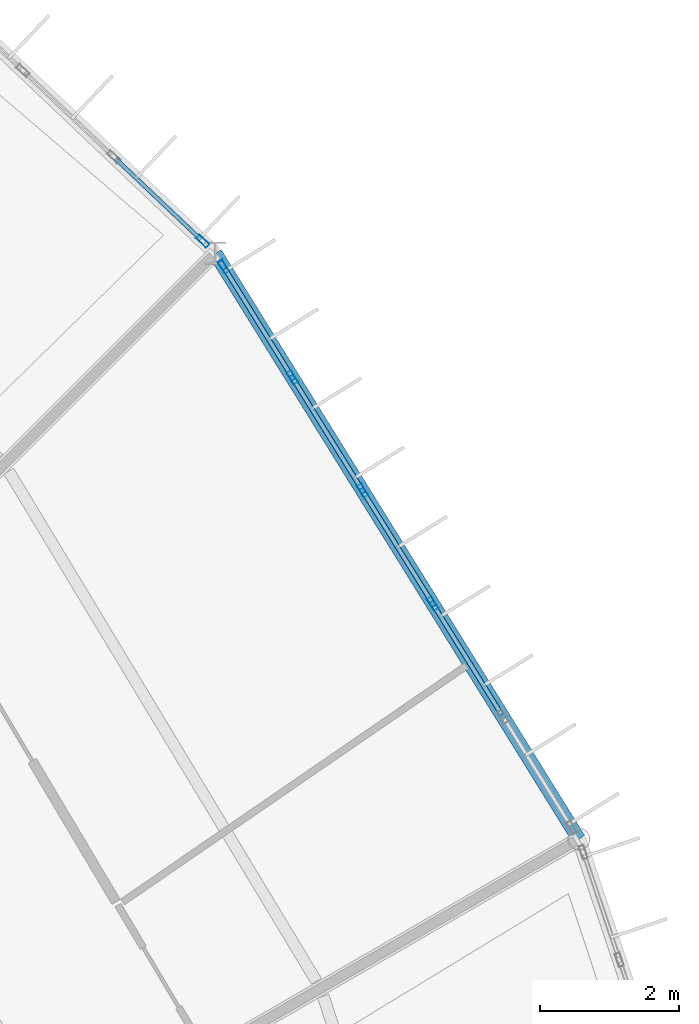
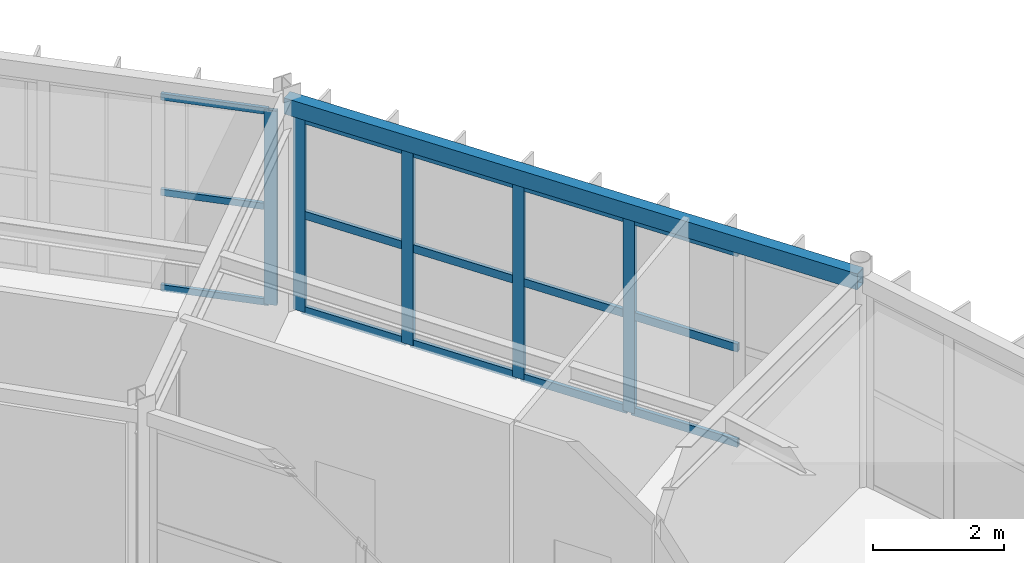
# One storey, part 85 of 147: 20 members, 1 beam, 2 elements without a shape of their own.
"""IFC4 building model written with IfcOpenShell, lengths in metres."""

from ifc_helpers import new_model, si_unit, direction, frame, origin, origin_2d, place, context, subcontext, project, spatial, hollow_rectangle, extrude, material, material_profile, profile_set, type_object, element, aggregate, save


model = new_model("IFC4")

# Units and contexts
model_context = context("Model", 3, precision=1e-05, world=origin(), true_north=direction((0.0, 1.0)))
body_context = subcontext(model_context, "Body", "Model", "MODEL_VIEW")
ifc_project = project(units=[si_unit("LENGTHUNIT", "METRE"), si_unit("AREAUNIT", "SQUARE_METRE"), si_unit("VOLUMEUNIT", "CUBIC_METRE"), si_unit("PLANEANGLEUNIT", "RADIAN"), si_unit("MASSUNIT", "GRAM", prefix="KILO")], contexts=[model_context])

# Site, building, storey
site_placement = place(None, origin())
site = spatial("IfcSite", under=ifc_project, at=site_placement, CompositionType="ELEMENT")
building_placement = place(site_placement, origin())
building = spatial("IfcBuilding", under=site, at=building_placement, Name="Karori Crest Natural Sciences Institute", CompositionType="ELEMENT")
storey_placement = place(building_placement, frame((0.0, 0.0, 9.10009765625)))
storey = spatial("IfcBuildingStorey", under=building, at=storey_placement, Name="L02", CompositionType="ELEMENT", Elevation=9.10009765625)

# Beam
ifc_material_1 = material(Name="Hollow structural steel AS/NZS 1163 Grade C350", Category="steel")
ifc_material_profile_1 = material_profile(ifc_material_1, hollow_rectangle(XDim=0.199951171875, YDim=0.300048828125, WallThickness=0.010009765625, at=origin_2d()), Name="RHS300x200x10")
ifc_profile_set_1 = profile_set([ifc_material_profile_1], Name="Hollow structural steel AS/NZS 1163 Grade C350")
beam_type = type_object("IfcBeamType", Name="BT-15", PredefinedType="SPANDREL", material=ifc_profile_set_1)
beam_placement = place(storey_placement, frame((94.978759765625, 70.300048828125, 3.789794921875), z_axis=(-0.527315195609, 0.849669750244, 0.0), x_axis=(-0.849669750244, -0.527315195609, 0.0)))
element("IfcBeam", 1, at=beam_placement, inside=storey, type_object=beam_type, Name="Beam B-0277", PredefinedType="SPANDREL", context=body_context, shape_type="SweptSolid", body=[
    extrude(hollow_rectangle(XDim=0.199951171875, YDim=0.300048828125, WallThickness=0.010009765625, at=origin_2d()), origin(), (0.0, 0.0, 1.0), 9.945068359375),
])

# Curtain wall, members
ifc_material_2 = material(Name="Anodised architectural aluminium 6063-T6", Category="aluminium")
curtain_wall_type_1 = type_object("IfcCurtainWallType", Name="CWT-03", PredefinedType="NOTDEFINED", material=ifc_material_2)
curtain_wall_1_placement = place(storey_placement, origin())
curtain_wall_1 = element("IfcCurtainWall", 2, at=curtain_wall_1_placement, inside=storey, type_object=curtain_wall_type_1, Name="Curtain wall CW-0068", PredefinedType="NOTDEFINED")
ifc_material_profile_2 = material_profile(ifc_material_2, hollow_rectangle(XDim=0.074951171875, YDim=0.199951171875, WallThickness=0.0048828125, at=origin_2d()), Name="CWM200x75x5")
ifc_profile_set_2 = profile_set([ifc_material_profile_2], Name="Anodised architectural aluminium 6063-T6")
member_type_1 = type_object("IfcMemberType", Name="CWM-02", PredefinedType="MULLION", material=ifc_profile_set_2)
member_1_placement = place(storey_placement, frame((89.854736328125, 78.556396484375, 0.0), z_axis=(0.0, 0.0, 1.0), x_axis=(0.849665769424, 0.527321609902, 0.0)))
member_1 = element("IfcMember", 3, at=member_1_placement, type_object=member_type_1, Name="CW-0068 mullion 1", PredefinedType="MULLION", context=body_context, shape_type="SweptSolid", body=[
    extrude(hollow_rectangle(XDim=0.074951171875, YDim=0.199951171875, WallThickness=0.0048828125, at=origin_2d()), origin(), (0.0, 0.0, 1.0), 3.625),
])
member_2_placement = place(storey_placement, frame((90.8466796875, 76.957763671875, 0.0), z_axis=(0.0, 0.0, 1.0), x_axis=(0.849665769424, 0.527321609902, 0.0)))
member_2 = element("IfcMember", 4, at=member_2_placement, type_object=member_type_1, Name="CW-0068 mullion 2", PredefinedType="MULLION", context=body_context, shape_type="SweptSolid", body=[
    extrude(hollow_rectangle(XDim=0.074951171875, YDim=0.199951171875, WallThickness=0.0048828125, at=origin_2d()), origin(), (0.0, 0.0, 1.0), 3.625),
])
member_3_placement = place(storey_placement, frame((91.858642578125, 75.327392578125, 0.0), z_axis=(0.0, 0.0, 1.0), x_axis=(0.849665769424, 0.527321609902, 0.0)))
member_3 = element("IfcMember", 5, at=member_3_placement, type_object=member_type_1, Name="CW-0068 mullion 3", PredefinedType="MULLION", context=body_context, shape_type="SweptSolid", body=[
    extrude(hollow_rectangle(XDim=0.074951171875, YDim=0.199951171875, WallThickness=0.0048828125, at=origin_2d()), origin(), (0.0, 0.0, 1.0), 3.625),
])
member_4_placement = place(storey_placement, frame((92.87060546875, 73.69677734375, 0.0), z_axis=(0.0, 0.0, 1.0), x_axis=(0.849665769424, 0.527321609902, 0.0)))
member_4 = element("IfcMember", 6, at=member_4_placement, type_object=member_type_1, Name="CW-0068 mullion 4", PredefinedType="MULLION", context=body_context, shape_type="SweptSolid", body=[
    extrude(hollow_rectangle(XDim=0.074951171875, YDim=0.199951171875, WallThickness=0.0048828125, at=origin_2d()), origin(), (0.0, 0.0, 1.0), 3.625),
])

curtain_wall_type_2 = type_object("IfcCurtainWallType", Name="CWT-04", PredefinedType="NOTDEFINED", material=ifc_material_2)
curtain_wall_2_placement = place(storey_placement, origin())
curtain_wall_2 = element("IfcCurtainWall", 7, at=curtain_wall_2_placement, inside=storey, type_object=curtain_wall_type_2, Name="Curtain wall CW-0070", PredefinedType="NOTDEFINED")
member_5_placement = place(storey_placement, frame((89.55322265625, 78.921875, 0.0), z_axis=(0.0, 0.0, 1.0), x_axis=(0.688245939986, 0.725477446992, 0.0)))
member_5 = element("IfcMember", 8, at=member_5_placement, type_object=member_type_1, Name="CW-0070 mullion 6", PredefinedType="MULLION", context=body_context, shape_type="SweptSolid", body=[
    extrude(hollow_rectangle(XDim=0.074951171875, YDim=0.199951171875, WallThickness=0.0048828125, at=origin_2d()), origin(), (0.0, 0.0, 1.0), 3.625),
])
ifc_material_profile_3 = material_profile(ifc_material_2, hollow_rectangle(XDim=0.06005859375, YDim=0.1201171875, WallThickness=0.00390625, at=origin_2d()), Name="CWT120x60x4")
ifc_profile_set_3 = profile_set([ifc_material_profile_3], Name="Anodised architectural aluminium 6063-T6")
member_type_2 = type_object("IfcMemberType", Name="CWT-TR1", PredefinedType="USERDEFINED", material=ifc_profile_set_3)
member_6_placement = place(storey_placement, frame((88.297119140625, 80.113525390625, 0.02978515625), z_axis=(0.72552458718, -0.688196246282, 0.0), x_axis=(0.688196246282, 0.72552458718, 0.0)))
member_6 = element("IfcMember", 9, at=member_6_placement, type_object=member_type_2, Name="CW-0070 transom 5.1", ObjectType="TRANSOM", PredefinedType="USERDEFINED", context=body_context, shape_type="SweptSolid", body=[
    extrude(hollow_rectangle(XDim=0.06005859375, YDim=0.1201171875, WallThickness=0.00390625, at=origin_2d()), origin(), (0.0, 0.0, 1.0), 1.69384765625),
])
member_7_placement = place(storey_placement, frame((88.297119140625, 80.113525390625, 1.8125), z_axis=(0.72552458718, -0.688196246282, 0.0), x_axis=(0.688196246282, 0.72552458718, 0.0)))
member_7 = element("IfcMember", 10, at=member_7_placement, type_object=member_type_2, Name="CW-0070 transom 5.2", ObjectType="TRANSOM", PredefinedType="USERDEFINED", context=body_context, shape_type="SweptSolid", body=[
    extrude(hollow_rectangle(XDim=0.06005859375, YDim=0.1201171875, WallThickness=0.00390625, at=origin_2d()), origin(), (0.0, 0.0, 1.0), 1.69384765625),
])
member_8_placement = place(storey_placement, frame((88.297119140625, 80.113525390625, 3.594970703125), z_axis=(0.72552458718, -0.688196246282, 0.0), x_axis=(0.688196246282, 0.72552458718, 0.0)))
member_8 = element("IfcMember", 11, at=member_8_placement, type_object=member_type_2, Name="CW-0070 transom 5.3", ObjectType="TRANSOM", PredefinedType="USERDEFINED", context=body_context, shape_type="SweptSolid", body=[
    extrude(hollow_rectangle(XDim=0.06005859375, YDim=0.1201171875, WallThickness=0.00390625, at=origin_2d()), origin(), (0.0, 0.0, 1.0), 1.69384765625),
])
aggregate(curtain_wall_2, [member_5, member_6, member_7, member_8])

# Member
ifc_material_profile_4 = material_profile(ifc_material_2, hollow_rectangle(XDim=0.06494140625, YDim=0.14990234375, WallThickness=0.00390625, at=origin_2d()), Name="CWT150x65x4")
ifc_profile_set_4 = profile_set([ifc_material_profile_4], Name="Anodised architectural aluminium 6063-T6")
member_type_3 = type_object("IfcMemberType", Name="CWT-TR2", PredefinedType="USERDEFINED", material=ifc_profile_set_4)
member_9_placement = place(storey_placement, frame((89.87451171875, 78.5244140625, 0.032470703125), z_axis=(0.527238374605, -0.849717421467, 0.0), x_axis=(0.849717421467, 0.527238374605, 0.0)))
member_9 = element("IfcMember", 12, at=member_9_placement, type_object=member_type_3, Name="CW-0068 transom 1.1", ObjectType="TRANSOM", PredefinedType="USERDEFINED", context=body_context, shape_type="SweptSolid", body=[
    extrude(hollow_rectangle(XDim=0.06494140625, YDim=0.14990234375, WallThickness=0.00390625, at=origin_2d()), origin(), (0.0, 0.0, 1.0), 1.806396484375),
])

member_10_placement = place(storey_placement, frame((89.87451171875, 78.5244140625, 1.8125), z_axis=(0.527238374605, -0.849717421467, 0.0), x_axis=(0.849717421467, 0.527238374605, 0.0)))
member_10 = element("IfcMember", 13, at=member_10_placement, type_object=member_type_3, Name="CW-0068 transom 1.2", ObjectType="TRANSOM", PredefinedType="USERDEFINED", context=body_context, shape_type="SweptSolid", body=[
    extrude(hollow_rectangle(XDim=0.06494140625, YDim=0.14990234375, WallThickness=0.00390625, at=origin_2d()), origin(), (0.0, 0.0, 1.0), 1.806396484375),
])

member_11_placement = place(storey_placement, frame((89.87451171875, 78.5244140625, 3.59228515625), z_axis=(0.527238374605, -0.849717421467, 0.0), x_axis=(0.849717421467, 0.527238374605, 0.0)))
member_11 = element("IfcMember", 14, at=member_11_placement, type_object=member_type_3, Name="CW-0068 transom 1.3", ObjectType="TRANSOM", PredefinedType="USERDEFINED", context=body_context, shape_type="SweptSolid", body=[
    extrude(hollow_rectangle(XDim=0.06494140625, YDim=0.14990234375, WallThickness=0.00390625, at=origin_2d()), origin(), (0.0, 0.0, 1.0), 1.806396484375),
])

member_12_placement = place(storey_placement, frame((90.866455078125, 76.92578125, 0.032470703125), z_axis=(0.527366157674, -0.849638120461, 0.0), x_axis=(0.849638120461, 0.527366157674, 0.0)))
member_12 = element("IfcMember", 15, at=member_12_placement, type_object=member_type_3, Name="CW-0068 transom 2.1", ObjectType="TRANSOM", PredefinedType="USERDEFINED", context=body_context, shape_type="SweptSolid", body=[
    extrude(hollow_rectangle(XDim=0.06494140625, YDim=0.14990234375, WallThickness=0.00390625, at=origin_2d()), origin(), (0.0, 0.0, 1.0), 1.843994140625),
])

member_13_placement = place(storey_placement, frame((90.866455078125, 76.92578125, 1.8125), z_axis=(0.527366157674, -0.849638120461, 0.0), x_axis=(0.849638120461, 0.527366157674, 0.0)))
member_13 = element("IfcMember", 16, at=member_13_placement, type_object=member_type_3, Name="CW-0068 transom 2.2", ObjectType="TRANSOM", PredefinedType="USERDEFINED", context=body_context, shape_type="SweptSolid", body=[
    extrude(hollow_rectangle(XDim=0.06494140625, YDim=0.14990234375, WallThickness=0.00390625, at=origin_2d()), origin(), (0.0, 0.0, 1.0), 1.843994140625),
])

member_14_placement = place(storey_placement, frame((90.866455078125, 76.92578125, 3.59228515625), z_axis=(0.527366157674, -0.849638120461, 0.0), x_axis=(0.849638120461, 0.527366157674, 0.0)))
member_14 = element("IfcMember", 17, at=member_14_placement, type_object=member_type_3, Name="CW-0068 transom 2.3", ObjectType="TRANSOM", PredefinedType="USERDEFINED", context=body_context, shape_type="SweptSolid", body=[
    extrude(hollow_rectangle(XDim=0.06494140625, YDim=0.14990234375, WallThickness=0.00390625, at=origin_2d()), origin(), (0.0, 0.0, 1.0), 1.843994140625),
])

member_15_placement = place(storey_placement, frame((91.87841796875, 75.29541015625, 0.032470703125), z_axis=(0.527366157674, -0.849638120461, 0.0), x_axis=(0.849638120461, 0.527366157674, 0.0)))
member_15 = element("IfcMember", 18, at=member_15_placement, type_object=member_type_3, Name="CW-0068 transom 3.1", ObjectType="TRANSOM", PredefinedType="USERDEFINED", context=body_context, shape_type="SweptSolid", body=[
    extrude(hollow_rectangle(XDim=0.06494140625, YDim=0.14990234375, WallThickness=0.00390625, at=origin_2d()), origin(), (0.0, 0.0, 1.0), 1.843994140625),
])

member_16_placement = place(storey_placement, frame((91.87841796875, 75.29541015625, 1.8125), z_axis=(0.527366157674, -0.849638120461, 0.0), x_axis=(0.849638120461, 0.527366157674, 0.0)))
member_16 = element("IfcMember", 19, at=member_16_placement, type_object=member_type_3, Name="CW-0068 transom 3.2", ObjectType="TRANSOM", PredefinedType="USERDEFINED", context=body_context, shape_type="SweptSolid", body=[
    extrude(hollow_rectangle(XDim=0.06494140625, YDim=0.14990234375, WallThickness=0.00390625, at=origin_2d()), origin(), (0.0, 0.0, 1.0), 1.843994140625),
])

member_17_placement = place(storey_placement, frame((91.87841796875, 75.29541015625, 3.59228515625), z_axis=(0.527366157674, -0.849638120461, 0.0), x_axis=(0.849638120461, 0.527366157674, 0.0)))
member_17 = element("IfcMember", 20, at=member_17_placement, type_object=member_type_3, Name="CW-0068 transom 3.3", ObjectType="TRANSOM", PredefinedType="USERDEFINED", context=body_context, shape_type="SweptSolid", body=[
    extrude(hollow_rectangle(XDim=0.06494140625, YDim=0.14990234375, WallThickness=0.00390625, at=origin_2d()), origin(), (0.0, 0.0, 1.0), 1.843994140625),
])

member_18_placement = place(storey_placement, frame((92.890380859375, 73.6650390625, 0.032470703125), z_axis=(0.527306836635, -0.849674937866, 0.0), x_axis=(0.849674937866, 0.527306836635, 0.0)))
member_18 = element("IfcMember", 21, at=member_18_placement, type_object=member_type_3, Name="CW-0068 transom 4.1", ObjectType="TRANSOM", PredefinedType="USERDEFINED", context=body_context, shape_type="SweptSolid", body=[
    extrude(hollow_rectangle(XDim=0.06494140625, YDim=0.14990234375, WallThickness=0.00390625, at=origin_2d()), origin(), (0.0, 0.0, 1.0), 1.843994140625),
])

member_19_placement = place(storey_placement, frame((92.890380859375, 73.6650390625, 1.8125), z_axis=(0.527306836635, -0.849674937866, 0.0), x_axis=(0.849674937866, 0.527306836635, 0.0)))
member_19 = element("IfcMember", 22, at=member_19_placement, type_object=member_type_3, Name="CW-0068 transom 4.2", ObjectType="TRANSOM", PredefinedType="USERDEFINED", context=body_context, shape_type="SweptSolid", body=[
    extrude(hollow_rectangle(XDim=0.06494140625, YDim=0.14990234375, WallThickness=0.00390625, at=origin_2d()), origin(), (0.0, 0.0, 1.0), 1.843994140625),
])

member_20_placement = place(storey_placement, frame((92.890380859375, 73.6650390625, 3.59228515625), z_axis=(0.527306836635, -0.849674937866, 0.0), x_axis=(0.849674937866, 0.527306836635, 0.0)))
member_20 = element("IfcMember", 23, at=member_20_placement, type_object=member_type_3, Name="CW-0068 transom 4.3", ObjectType="TRANSOM", PredefinedType="USERDEFINED", context=body_context, shape_type="SweptSolid", body=[
    extrude(hollow_rectangle(XDim=0.06494140625, YDim=0.14990234375, WallThickness=0.00390625, at=origin_2d()), origin(), (0.0, 0.0, 1.0), 1.843994140625),
])

aggregate(curtain_wall_1, [member_1, member_2, member_3, member_4, member_9, member_10, member_11, member_12, member_13, member_14, member_15, member_16, member_17, member_18, member_19, member_20])

save(model, "model.ifc")
